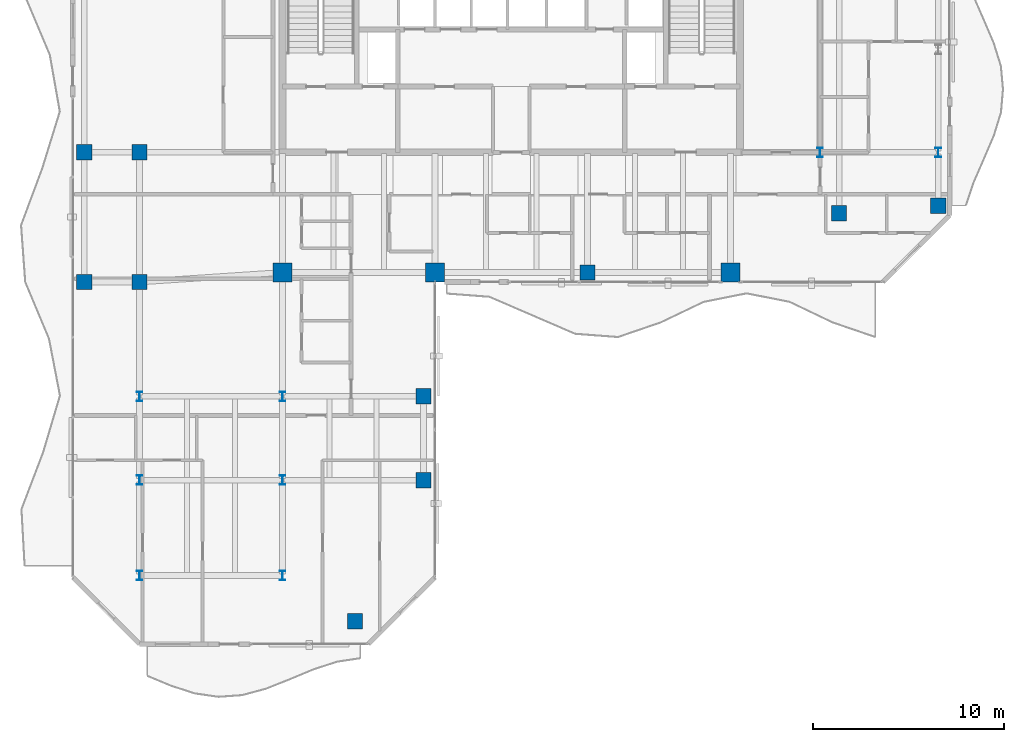
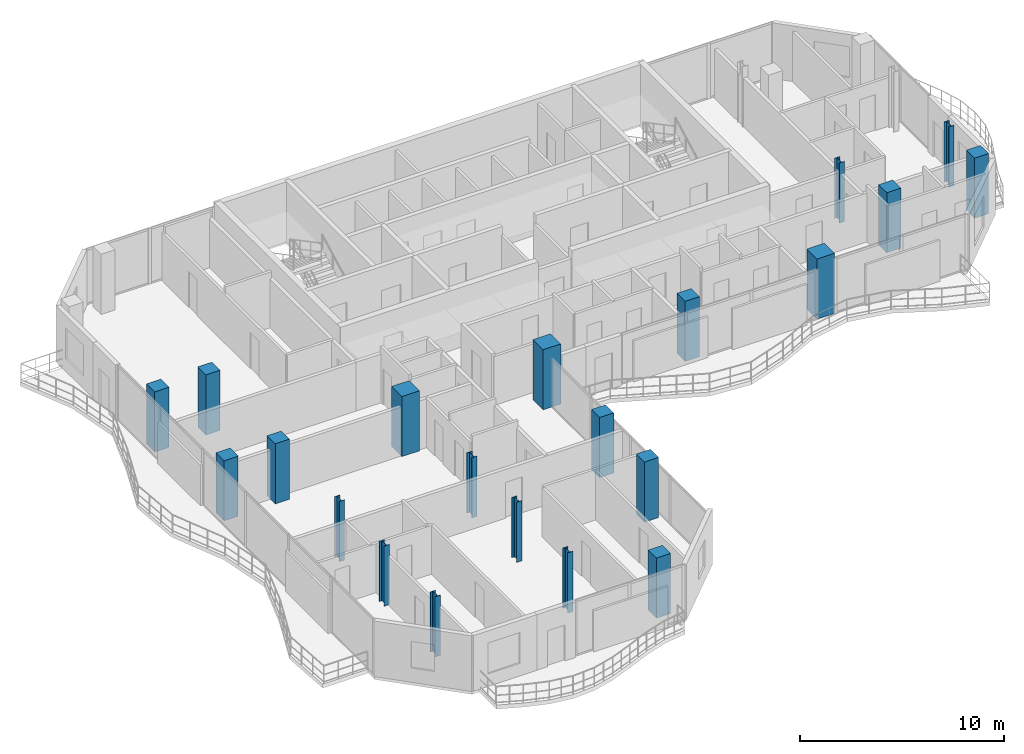
# One storey, part 1 of 23: 21 columns.
"""IFC4 building model written with IfcOpenShell, lengths in metres."""

from ifc_helpers import new_model, si_unit, direction, frame, origin, origin_2d, place, context, subcontext, project, spatial, rectangle, i_section, extrude, material, material_profile, profile_set, type_object, element, save


model = new_model("IFC4")

# Units and contexts
model_context = context("Model", 3, precision=1e-05, world=origin(), true_north=direction((0.0, 1.0)))
body_context = subcontext(model_context, "Body", "Model", "MODEL_VIEW")
ifc_project = project(units=[si_unit("LENGTHUNIT", "METRE"), si_unit("AREAUNIT", "SQUARE_METRE"), si_unit("VOLUMEUNIT", "CUBIC_METRE"), si_unit("PLANEANGLEUNIT", "RADIAN"), si_unit("MASSUNIT", "GRAM", prefix="KILO")], contexts=[model_context])

# Site, building, storey
site_placement = place(None, origin())
site = spatial("IfcSite", under=ifc_project, at=site_placement, CompositionType="ELEMENT")
building_placement = place(site_placement, origin())
building = spatial("IfcBuilding", under=site, at=building_placement, Name="Catumbela Crestline Tower", CompositionType="ELEMENT")
storey_placement = place(building_placement, frame((0.0, 0.0, 179.4)))
storey = spatial("IfcBuildingStorey", under=building, at=storey_placement, Name="L46", CompositionType="ELEMENT", Elevation=179.4)

# Columns
ifc_material_1 = material(Name="Concrete C50/60", Category="concrete")
ifc_material_profile_1 = material_profile(ifc_material_1, rectangle(XDim=1.0, YDim=1.0, at=origin_2d()), Name="RC 1000x1000")
ifc_profile_set_1 = profile_set([ifc_material_profile_1], Name="Concrete C50/60")
column_type_1 = type_object("IfcColumnType", Name="C-RC1000-C50", PredefinedType="COLUMN", material=ifc_profile_set_1)
for number, where, z_axis, x_axis, name in (
    (1, (16.0, 24.5, 0.0), (0.0, 0.0, 1.0), (1.0, 0.0, 0.0), "L46 Column C-16-24 (RC 1000x1000)"),
    (2, (24.0, 24.5, 0.0), (0.0, 0.0, 1.0), (1.0, 0.0, 0.0), "L46 Column C-24-24 (RC 1000x1000)"),
    (3, (39.5, 24.5, 0.0), (0.0, 0.0, 1.0), (1.0, 0.0, 0.0), "L46 Column C-40-24 (RC 1000x1000)"),
):
    element("IfcColumn", number, at=place(storey_placement, frame(where, z_axis=z_axis, x_axis=x_axis)), inside=storey, type_object=column_type_1, Name=name, PredefinedType="COLUMN", context=body_context, shape_type="SweptSolid", body=[
        extrude(rectangle(XDim=1.0, YDim=1.0, at=origin_2d()), origin(), (0.0, 0.0, 1.0), 3.6),
    ])
ifc_material_profile_2 = material_profile(ifc_material_1, rectangle(XDim=0.8, YDim=0.8, at=origin_2d()), Name="RC 800x800")
ifc_profile_set_2 = profile_set([ifc_material_profile_2], Name="Concrete C50/60")
column_type_2 = type_object("IfcColumnType", Name="C-RC800-C50", PredefinedType="COLUMN", material=ifc_profile_set_2)
for number, where, z_axis, x_axis, name in (
    (4, (8.5, 24.0, 0.0), (0.0, 0.0, 1.0), (1.0, 0.0, 0.0), "L46 Column C-08-24 (RC 800x800)"),
    (5, (32.0, 24.5, 0.0), (0.0, 0.0, 1.0), (1.0, 0.0, 0.0), "L46 Column C-32-24 (RC 800x800)"),
    (6, (5.6, 24.0, 0.0), (0.0, 0.0, 1.0), (1.0, 0.0, 0.0), "L46 Column C-05-24 (RC 800x800)"),
    (7, (5.6, 30.8, 0.0), (0.0, 0.0, 1.0), (1.0, 0.0, 0.0), "L46 Column C-05-31 (RC 800x800)"),
    (8, (8.5, 30.8, 0.0), (0.0, 0.0, 1.0), (1.0, 0.0, 0.0), "L46 Column C-08-31 (RC 800x800)"),
    (9, (45.2, 27.6, 0.0), (0.0, 0.0, 1.0), (1.0, 0.0, 0.0), "L46 Column C-46-24 (RC 800x800)"),
    (10, (50.4, 28.0, 0.0), (0.0, 0.0, 1.0), (1.0, 0.0, 0.0), "L46 Column C-51-24 (RC 800x800)"),
    (11, (19.8, 6.2, 0.0), (0.0, 0.0, 1.0), (1.0, 0.0, 0.0), "L46 Column C-24-05 (RC 800x800)"),
    (12, (23.4, 13.6, 0.0), (0.0, 0.0, 1.0), (1.0, 0.0, 0.0), "L46 Column C-24-10 (RC 800x800)"),
    (13, (23.4, 18.0, 0.0), (0.0, 0.0, 1.0), (1.0, 0.0, 0.0), "L46 Column C-24-16 (RC 800x800)"),
):
    element("IfcColumn", number, at=place(storey_placement, frame(where, z_axis=z_axis, x_axis=x_axis)), inside=storey, type_object=column_type_2, Name=name, PredefinedType="COLUMN", context=body_context, shape_type="SweptSolid", body=[
        extrude(rectangle(XDim=0.8, YDim=0.8, at=origin_2d()), origin(), (0.0, 0.0, 1.0), 3.6),
    ])
ifc_material_2 = material(Name="Structural steel S355J2", Category="steel")
ifc_material_profile_3 = material_profile(ifc_material_2, i_section(OverallWidth=0.3, OverallDepth=0.5, WebThickness=0.0145, FlangeThickness=0.028, FilletRadius=0.027, at=origin_2d()), Name="HEB 500")
ifc_profile_set_3 = profile_set([ifc_material_profile_3], Name="Structural steel S355J2")
column_type_3 = type_object("IfcColumnType", Name="C-ST-HEB500", PredefinedType="COLUMN", material=ifc_profile_set_3)
for number, where, z_axis, x_axis, name in (
    (14, (8.5, 8.6, 0.0), (0.0, 0.0, 1.0), (1.0, 0.0, 0.0), "L46 Column CT-05-05 (HEB 500)"),
    (15, (16.0, 8.6, 0.0), (0.0, 0.0, 1.0), (1.0, 0.0, 0.0), "L46 Column CT-14-05 (HEB 500)"),
    (16, (8.5, 13.6, 0.0), (0.0, 0.0, 1.0), (1.0, 0.0, 0.0), "L46 Column CT-05-10 (HEB 500)"),
    (17, (16.0, 13.6, 0.0), (0.0, 0.0, 1.0), (1.0, 0.0, 0.0), "L46 Column CT-14-10 (HEB 500)"),
    (18, (8.5, 18.0, 0.0), (0.0, 0.0, 1.0), (1.0, 0.0, 0.0), "L46 Column CT-05-16 (HEB 500)"),
    (19, (16.0, 18.0, 0.0), (0.0, 0.0, 1.0), (1.0, 0.0, 0.0), "L46 Column CT-14-16 (HEB 500)"),
    (20, (44.2, 30.8, 0.0), (0.0, 0.0, 1.0), (1.0, 0.0, 0.0), "L46 Column CT-46-31 (HEB 500)"),
    (21, (50.4, 30.8, 0.0), (0.0, 0.0, 1.0), (1.0, 0.0, 0.0), "L46 Column CT-51-31 (HEB 500)"),
):
    element("IfcColumn", number, at=place(storey_placement, frame(where, z_axis=z_axis, x_axis=x_axis)), inside=storey, type_object=column_type_3, Name=name, PredefinedType="COLUMN", context=body_context, shape_type="SweptSolid", body=[
        extrude(i_section(OverallWidth=0.3, OverallDepth=0.5, WebThickness=0.0145, FlangeThickness=0.028, FilletRadius=0.027, at=origin_2d()), origin(), (0.0, 0.0, 1.0), 3.6),
    ])

save(model, "model.ifc")
